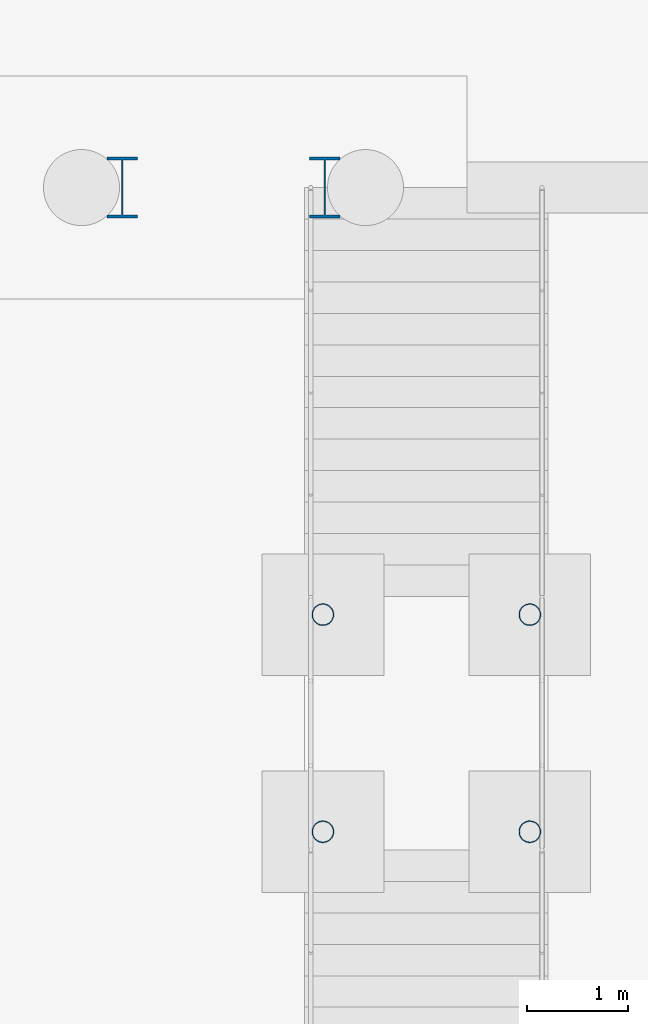
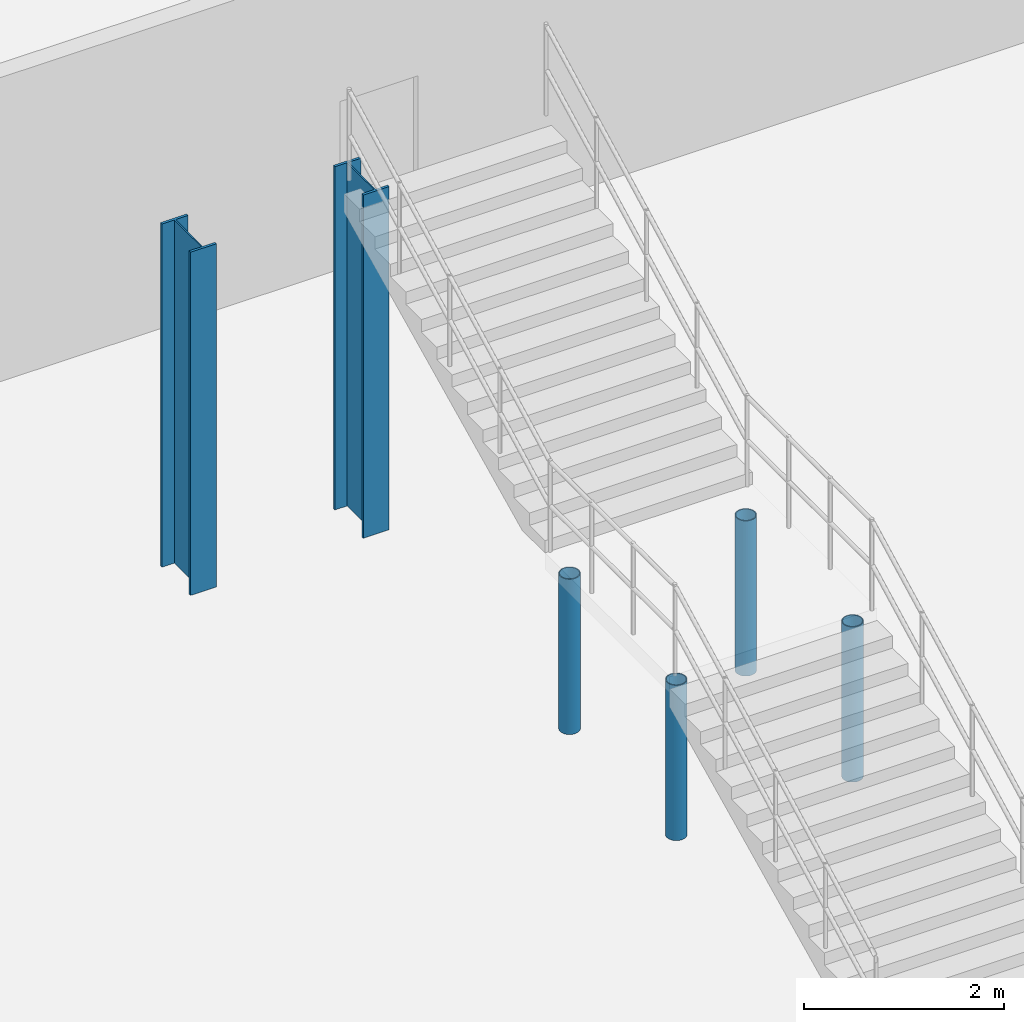
# One storey, part 21 of 77: 6 columns.
"""IFC4 building model written with IfcOpenShell, lengths in metres."""

import ifcopenshell
import ifcopenshell.guid

model = None  # the IFC model being written
_history = None  # IfcOwnerHistory: only IFC2X3 demands one
_inside = {}  # id of a spatial element -> (the spatial element, [elements in it])
_under = {}  # id of a project, library or spatial element -> (it, [spatial elements below it])
_declared = {}  # id of a project -> (the project, [libraries it declares])
_typed = {}  # id of a type object -> (the type object, [elements of that type])
_made_of = {}  # id of a material, layer set ... -> (it, [elements and type objects made of it])


def new_model(schema):
    """Start an empty IFC model of exactly this schema.

    Asked for "IFC4X3", IfcOpenShell would pick the latest addendum, in which some entities
    have other attributes; the version numbers below select the first issue.
    IFC2X3 requires an IfcOwnerHistory on every rooted entity: one is made here for all.
    """
    global model, _history
    if schema == "IFC4X3":
        model = ifcopenshell.file(schema_version=(4, 3, 0, 0))
    else:
        model = ifcopenshell.file(schema=schema)
    _inside.clear()
    _under.clear()
    _declared.clear()
    _typed.clear()
    _made_of.clear()
    _history = None
    if model.schema == "IFC2X3":
        org = make("IfcOrganization", Name="unknown")
        user = make(
            "IfcPersonAndOrganization",
            ThePerson=make("IfcPerson", FamilyName="unknown"),
            TheOrganization=org,
        )
        app = make(
            "IfcApplication",
            ApplicationDeveloper=org,
            Version="unknown",
            ApplicationFullName="unknown",
            ApplicationIdentifier="unknown",
        )
        _history = make(
            "IfcOwnerHistory",
            OwningUser=user,
            OwningApplication=app,
            ChangeAction="ADDED",
            CreationDate=0,
        )
    return model


def make(cls, **values):
    """One entity of the class cls with the attributes given. An attribute that is None is left unset."""
    return model.create_entity(
        cls, **{name: value for name, value in values.items() if value is not None}
    )


def rooted(cls, **values):
    """An entity with a GlobalId (a new one), such as an element, a storey or a relation."""
    return make(cls, GlobalId=ifcopenshell.guid.new(), OwnerHistory=_history, **values)


def si_unit(unit_type, name, prefix=None):
    """IfcSIUnit, for example si_unit("LENGTHUNIT", "METRE", prefix="MILLI")."""
    return make("IfcSIUnit", UnitType=unit_type, Prefix=prefix, Name=name)


def assignment(units):
    """IfcUnitAssignment: the units of a project."""
    return None if units is None else make("IfcUnitAssignment", Units=units)


def point(xyz):
    """IfcCartesianPoint."""
    return None if xyz is None else make("IfcCartesianPoint", Coordinates=xyz)


def direction(xyz):
    """IfcDirection."""
    return None if xyz is None else make("IfcDirection", DirectionRatios=xyz)


def frame(location, z_axis=None, x_axis=None):
    """IfcAxis2Placement3D, a coordinate frame: its origin and axes. An axis left out is left unset."""
    return make(
        "IfcAxis2Placement3D",
        Location=point(location),
        Axis=direction(z_axis),
        RefDirection=direction(x_axis),
    )


def frame_2d(location, x_axis=None):
    """IfcAxis2Placement2D, a coordinate frame in the plane: its origin and x axis."""
    return make(
        "IfcAxis2Placement2D", Location=point(location), RefDirection=direction(x_axis)
    )


def origin():
    """The frame at (0, 0, 0) with its axes left unset."""
    return frame((0.0, 0.0, 0.0))


def origin_2d():
    """The frame at (0, 0) in the plane with its x axis left unset."""
    return frame_2d((0.0, 0.0))


def place(relative_to, where):
    """IfcLocalPlacement: puts the frame where relative to a parent placement (None: the world)."""
    return make(
        "IfcLocalPlacement", PlacementRelTo=relative_to, RelativePlacement=where
    )


def context(
    kind, dimensions, precision=None, world=None, true_north=None, identifier=None
):
    """IfcGeometricRepresentationContext, for example the 3D "Model" context."""
    return make(
        "IfcGeometricRepresentationContext",
        ContextIdentifier=identifier,
        ContextType=kind,
        CoordinateSpaceDimension=dimensions,
        Precision=precision,
        WorldCoordinateSystem=world,
        TrueNorth=true_north,
    )


def subcontext(parent, identifier, kind, view, scale=None):
    """IfcGeometricRepresentationSubContext, for example "Body" below "Model"."""
    return make(
        "IfcGeometricRepresentationSubContext",
        ContextIdentifier=identifier,
        ContextType=kind,
        ParentContext=parent,
        TargetScale=scale,
        TargetView=view,
    )


def project(units=None, contexts=None):
    """IfcProject with its units and contexts."""
    return rooted(
        "IfcProject",
        Name="project",
        RepresentationContexts=contexts,
        UnitsInContext=assignment(units),
    )


def spatial(cls, under=None, at=None, **own):
    """A site, building, storey or space (cls), placed at a placement, below another one or the project."""
    s = rooted(cls, ObjectPlacement=at, **own)
    if under is not None:
        _under.setdefault(under.id(), (under, []))[1].append(s)
    return s


def profile(cls, at=None, kind="AREA", **sizes):
    """A parametric profile (cls). Its sizes go by their IFC names, for example OverallWidth=200.0."""
    return make(cls, ProfileType=kind, Position=at, **sizes)


def hollow_circle(**sizes):
    """IfcCircleHollowProfileDef."""
    return profile("IfcCircleHollowProfileDef", **sizes)


def i_section(**sizes):
    """IfcIShapeProfileDef."""
    return profile("IfcIShapeProfileDef", **sizes)


def extrude(swept, where, along, depth):
    """IfcExtrudedAreaSolid: the profile swept, set in the frame where, extruded along a direction by depth."""
    return make(
        "IfcExtrudedAreaSolid",
        SweptArea=swept,
        Position=where,
        ExtrudedDirection=direction(along),
        Depth=depth,
    )


def shape(context_of_items, identifier, shape_type, items):
    """IfcShapeRepresentation: the items that make up one representation, for example the "Body"."""
    return make(
        "IfcShapeRepresentation",
        ContextOfItems=context_of_items,
        RepresentationIdentifier=identifier,
        RepresentationType=shape_type,
        Items=items,
    )


def material(Name=None, Category=None):
    """IfcMaterial."""
    return make("IfcMaterial", Name=Name, Category=Category)


def material_profile(
    of_material, cross_section, Name=None, Category=None, Priority=None
):
    """IfcMaterialProfile: a cross section and its material."""
    return make(
        "IfcMaterialProfile",
        Name=Name,
        Material=of_material,
        Profile=cross_section,
        Priority=Priority,
        Category=Category,
    )


def profile_set(profiles, Name=None, composite=None):
    """IfcMaterialProfileSet."""
    return make(
        "IfcMaterialProfileSet",
        Name=Name,
        MaterialProfiles=profiles,
        CompositeProfile=composite,
    )


def made_of(thing, what):
    """Note that an element or type object is made of a material, layer set ...; save() writes the relation."""
    if what is not None:
        _made_of.setdefault(what.id(), (what, []))[1].append(thing)
    return thing


def type_object(cls, material=None, **own):
    """A type object (cls), such as IfcWallType, which elements share."""
    return made_of(rooted(cls, **own), material)


def element(
    cls,
    number,
    at=None,
    inside=None,
    cuts=None,
    type_object=None,
    material=None,
    context=None,
    identifier="Body",
    shape_type=None,
    held_by="IfcProductDefinitionShape",
    body=None,
    shapes=None,
    **own,
):
    """One element of the class cls, such as IfcWall. Its Tag is "e" and its number.

    at: its placement. inside: the storey or other place that contains it. cuts: it is an
    opening in that element (IfcRelVoidsElement). A single representation is given by context,
    identifier, shape_type and body (its items); several are given by shapes. held_by: the class
    of the entity that holds the representations. save() writes the other relations.
    """
    e = rooted(cls, Tag="e%d" % number, ObjectPlacement=at, **own)
    if body is not None:
        shapes = [shape(context, identifier, shape_type, body)]
    if shapes is not None:
        e.Representation = make(held_by, Representations=shapes)
    if inside is not None:
        _inside.setdefault(inside.id(), (inside, []))[1].append(e)
    if cuts is not None:
        rooted(
            "IfcRelVoidsElement", RelatingBuildingElement=cuts, RelatedOpeningElement=e
        )
    if type_object is not None:
        _typed.setdefault(type_object.id(), (type_object, []))[1].append(e)
    return made_of(e, material)


def aggregate(whole, parts):
    """IfcRelAggregates: a whole, such as a stair, and the parts it consists of."""
    return rooted("IfcRelAggregates", RelatingObject=whole, RelatedObjects=parts)


def save(model, path):
    """Write the relations noted so far, then the file.

    IfcRelAggregates (storeys below a building ...), IfcRelContainedInSpatialStructure (elements
    in a storey), IfcRelDefinesByType, IfcRelAssociatesMaterial and IfcRelDeclares: one each for
    every whole, place, type object, material and project.
    """
    for whole, parts in _under.values():
        aggregate(whole, parts)
    for where, things in _inside.values():
        rooted(
            "IfcRelContainedInSpatialStructure",
            RelatedElements=things,
            RelatingStructure=where,
        )
    for kind, things in _typed.values():
        rooted("IfcRelDefinesByType", RelatedObjects=things, RelatingType=kind)
    for what, things in _made_of.values():
        rooted("IfcRelAssociatesMaterial", RelatedObjects=things, RelatingMaterial=what)
    for by, libraries in _declared.values():
        rooted("IfcRelDeclares", RelatingContext=by, RelatedDefinitions=libraries)
    model.write(path)


model = new_model("IFC4")

# Units and contexts
model_context = context("Model", 3, precision=1e-05, world=origin(), true_north=direction((0.0, 1.0)))
body_context = subcontext(model_context, "Body", "Model", "MODEL_VIEW")
ifc_project = project(units=[si_unit("LENGTHUNIT", "METRE"), si_unit("AREAUNIT", "SQUARE_METRE"), si_unit("VOLUMEUNIT", "CUBIC_METRE"), si_unit("PLANEANGLEUNIT", "RADIAN"), si_unit("MASSUNIT", "GRAM", prefix="KILO")], contexts=[model_context])

# Site, building, storey
site_placement = place(None, origin())
site = spatial("IfcSite", under=ifc_project, at=site_placement, CompositionType="ELEMENT")
building_placement = place(site_placement, origin())
building = spatial("IfcBuilding", under=site, at=building_placement, Name="Zilviju Railside Exhibition Hall", CompositionType="ELEMENT")
storey_placement = place(building_placement, origin())
storey = spatial("IfcBuildingStorey", under=building, at=storey_placement, Name="L01", CompositionType="ELEMENT", Elevation=0.0)

# Columns
ifc_material_1 = material(Name="Steel S355ML", Category="steel")
ifc_material_profile_1 = material_profile(ifc_material_1, hollow_circle(Radius=0.109619140625, WallThickness=0.010009765625, at=origin_2d()), Name="CHS 219.1x10.0")
ifc_profile_set_1 = profile_set([ifc_material_profile_1], Name="Steel S355ML")
column_type_1 = type_object("IfcColumnType", Name="COL-ST-CHS219", PredefinedType="COLUMN", material=ifc_profile_set_1)
for number, where, z_axis, x_axis, name in (
    (1, (59.97998046875, 113.64990234375, 0.0), (0.0, 0.0, 1.0), (1.0, 0.0, 0.0), "Feature Stair ST18 Landing Column 1"),
    (2, (62.02001953125, 113.64990234375, 0.0), (0.0, 0.0, 1.0), (1.0, 0.0, 0.0), "Feature Stair ST18 Landing Column 2"),
    (3, (59.97998046875, 115.7900390625, 0.0), (0.0, 0.0, 1.0), (1.0, 0.0, 0.0), "Feature Stair ST18 Landing Column 3"),
    (4, (62.02001953125, 115.7900390625, 0.0), (0.0, 0.0, 1.0), (1.0, 0.0, 0.0), "Feature Stair ST18 Landing Column 4"),
):
    element("IfcColumn", number, at=place(storey_placement, frame(where, z_axis=z_axis, x_axis=x_axis)), inside=storey, type_object=column_type_1, Name=name, PredefinedType="COLUMN", context=body_context, shape_type="SweptSolid", body=[
        extrude(hollow_circle(Radius=0.109619140625, WallThickness=0.010009765625, at=origin_2d()), origin(), (0.0, 0.0, 1.0), 1.89990234375),
    ])
ifc_material_2 = material(Name="Steel S355J2", Category="steel")
ifc_material_profile_2 = material_profile(ifc_material_2, i_section(OverallWidth=0.300048828125, OverallDepth=0.60009765625, WebThickness=0.015380859375, FlangeThickness=0.030029296875, at=origin_2d()), Name="HEB 600")
ifc_profile_set_2 = profile_set([ifc_material_profile_2], Name="Steel S355J2")
column_type_2 = type_object("IfcColumnType", Name="COL-ST-HEB600", PredefinedType="COLUMN", material=ifc_profile_set_2)
for number, where, z_axis, x_axis, name in (
    (5, (58.0, 120.0, 0.0), (0.0, 0.0, 1.0), (1.0, 0.0, 0.0), "Structural Column L01 (58.0, 120.0)"),
    (6, (60.0, 120.0, 0.0), (0.0, 0.0, 1.0), (1.0, 0.0, 0.0), "Structural Column L01 (60.0, 120.0)"),
):
    element("IfcColumn", number, at=place(storey_placement, frame(where, z_axis=z_axis, x_axis=x_axis)), inside=storey, type_object=column_type_2, Name=name, PredefinedType="COLUMN", context=body_context, shape_type="SweptSolid", body=[
        extrude(i_section(OverallWidth=0.300048828125, OverallDepth=0.60009765625, WebThickness=0.015380859375, FlangeThickness=0.030029296875, at=origin_2d()), origin(), (0.0, 0.0, 1.0), 4.199951171875),
    ])

save(model, "model.ifc")
